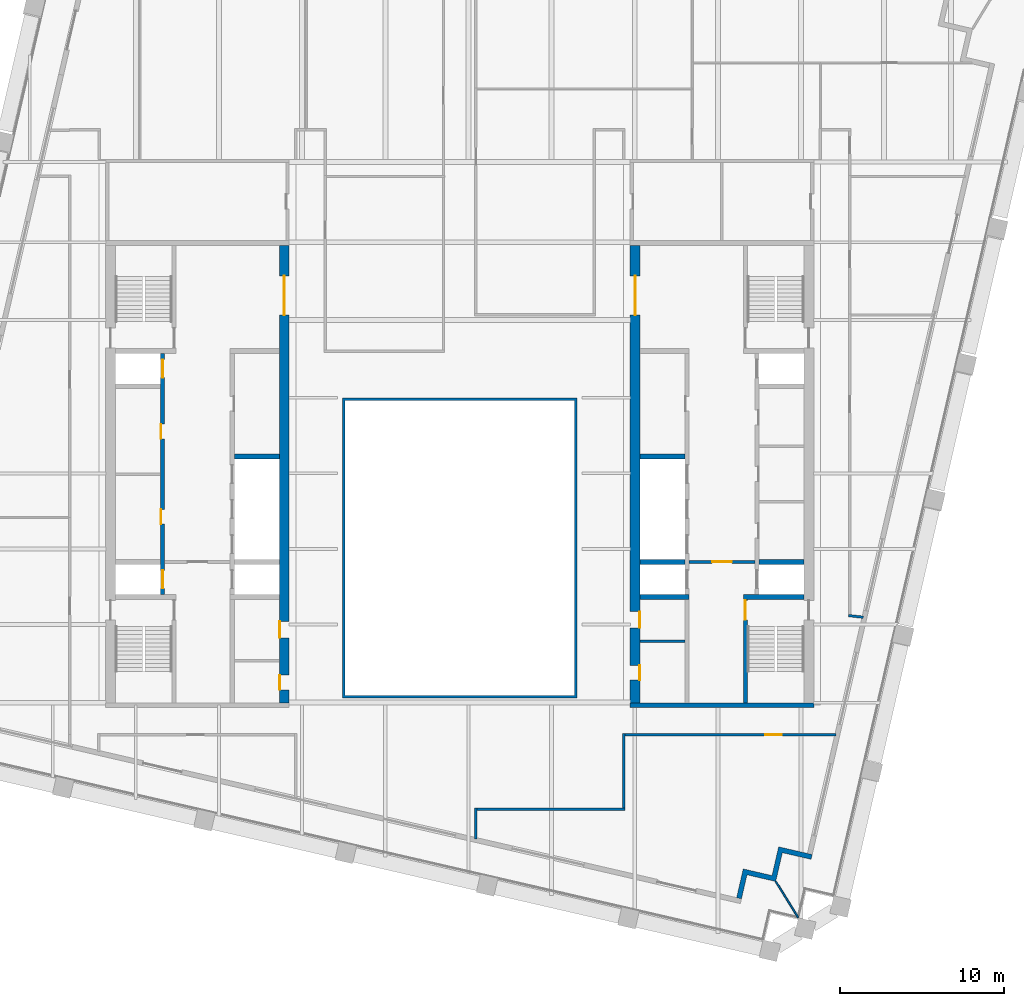
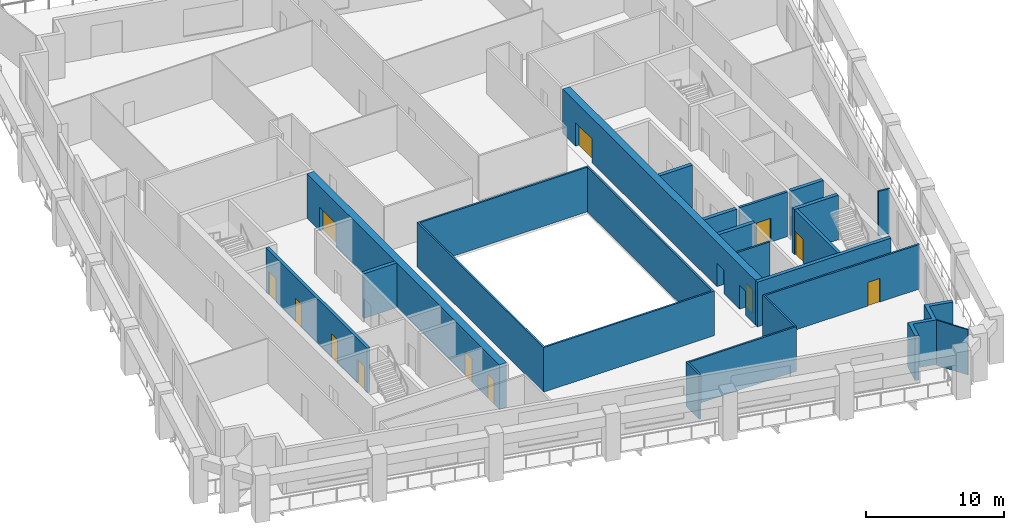
# One storey, part 4 of 10: 21 walls, 13 doors, 13 openings.
"""IFC4 building model written with IfcOpenShell, lengths in metres."""

from ifc_helpers import new_model, si_unit, direction, frame, frame_2d, origin, place, context, subcontext, project, spatial, polyline, rectangle, outline, extrude, material, layer, layer_set, type_object, element, fill, save


model = new_model("IFC4")

# Units and contexts
model_context = context("Model", 3, precision=1e-05, world=origin(), true_north=direction((0.0, 1.0)))
body_context = subcontext(model_context, "Body", "Model", "MODEL_VIEW")
ifc_project = project(units=[si_unit("LENGTHUNIT", "METRE"), si_unit("AREAUNIT", "SQUARE_METRE"), si_unit("VOLUMEUNIT", "CUBIC_METRE"), si_unit("PLANEANGLEUNIT", "RADIAN"), si_unit("MASSUNIT", "GRAM", prefix="KILO")], contexts=[model_context])

# Site, building, storey
site_placement = place(None, origin())
site = spatial("IfcSite", under=ifc_project, at=site_placement, CompositionType="ELEMENT")
building_placement = place(site_placement, origin())
building = spatial("IfcBuilding", under=site, at=building_placement, Name="Ogive Exchange Tower", CompositionType="ELEMENT")
storey_placement = place(building_placement, frame((0.0, 0.0, 289.199951171875)))
storey = spatial("IfcBuildingStorey", under=building, at=storey_placement, Name="L63", CompositionType="ELEMENT", Elevation=289.199951171875)

# Walls
ifc_material_1 = material(Name="Gypsum board partition")
ifc_layer_1 = layer(ifc_material_1, 0.14990234375)
ifc_layer_set_1 = layer_set([ifc_layer_1], Name="Core room partition 150 gypsum")
wall_type_1 = type_object("IfcWallType", Name="Core room partition 150 gypsum", PredefinedType="PARTITIONING", material=ifc_layer_set_1)
wall_1_placement = place(storey_placement, frame((11.0, 1.300048828125, 0.0), z_axis=(0.0, 0.0, 1.0), x_axis=(1.0, 0.0, 0.0)))
element("IfcWall", 1, at=wall_1_placement, inside=storey, type_object=wall_type_1, Name="E south room partition", PredefinedType="PARTITIONING", context=body_context, shape_type="SweptSolid", body=[
    extrude(rectangle(XDim=2.75, YDim=0.14990234375, at=frame_2d((1.375, 0.0))), origin(), (0.0, 0.0, 1.0), 3.949951171875),
])
ifc_material_2 = material(Name="Fire partition EI 60 150")
ifc_layer_2 = layer(ifc_material_2, 0.14990234375)
ifc_layer_set_2 = layer_set([ifc_layer_2], Name="Fire partition EI 60 150")
wall_type_2 = type_object("IfcWallType", Name="Fire partition EI 60 150", PredefinedType="PARTITIONING", material=ifc_layer_set_2)
wall_2_placement = place(storey_placement, frame((0.989990234375, -8.864990234375, 0.0), z_axis=(0.0, 0.0, 1.0), x_axis=(0.0, -1.0, 0.0)))
element("IfcWall", 2, at=wall_2_placement, inside=storey, type_object=wall_type_2, Name="L63-PWL-027", PredefinedType="PARTITIONING", context=body_context, shape_type="SweptSolid", body=[
    extrude(rectangle(XDim=1.887939453125, YDim=0.14990234375, at=frame_2d((0.94384765625, 0.0))), origin(), (0.0, 0.0, 1.0), 3.949951171875),
])
wall_3_placement = place(storey_placement, frame((10.074951171875, -8.93994140625, 0.0), z_axis=(0.0, 0.0, 1.0), x_axis=(-1.0, 0.0, 0.0)))
element("IfcWall", 3, at=wall_3_placement, inside=storey, type_object=wall_type_2, Name="L63-PWL-033", PredefinedType="PARTITIONING", context=body_context, shape_type="SweptSolid", body=[
    extrude(rectangle(XDim=9.010009765625, YDim=0.14990234375, at=frame_2d((4.5048828125, 0.0))), origin(), (0.0, 0.0, 1.0), 3.949951171875),
])
wall_4_placement = place(storey_placement, frame((10.0, -4.324951171875, 0.0), z_axis=(0.0, 0.0, 1.0), x_axis=(0.0, -1.0, 0.0)))
element("IfcWall", 4, at=wall_4_placement, inside=storey, type_object=wall_type_2, Name="L63-PWL-034", PredefinedType="PARTITIONING", context=body_context, shape_type="SweptSolid", body=[
    extrude(rectangle(XDim=4.5400390625, YDim=0.14990234375, at=frame_2d((2.27001953125, 0.0))), origin(), (0.0, 0.0, 1.0), 3.949951171875),
])

# Wall, opening, door
wall_5_placement = place(storey_placement, frame((22.968017578125, -4.39990234375, 0.0), z_axis=(0.0, 0.0, 1.0), x_axis=(-1.0, 0.0, 0.0)))
wall_5 = element("IfcWall", 5, at=wall_5_placement, inside=storey, type_object=wall_type_2, Name="L63-PWL-045", PredefinedType="PARTITIONING", context=body_context, shape_type="SweptSolid", body=[
    extrude(rectangle(XDim=12.89306640625, YDim=0.14990234375, at=frame_2d((6.446533203125, 0.0))), origin(), (0.0, 0.0, 1.0), 3.949951171875),
])
opening_1_placement = place(wall_5_placement, frame((3.318115234375, 0.0, 0.0)))
opening_1 = element("IfcOpeningElement", 6, at=opening_1_placement, cuts=wall_5, Name="Opening L63-I01", PredefinedType="OPENING", context=body_context, shape_type="SweptSolid", body=[
    extrude(rectangle(XDim=1.0, YDim=2.10009765625, at=frame_2d((0.5, 1.050048828125))), frame((0.0, 0.0849609375, 0.0), z_axis=(0.0, -1.0, 0.0), x_axis=(1.0, 0.0, 0.0)), (0.0, 0.0, 1.0), 0.169921875),
])
ifc_material_3 = material(Name="Fire door FD 30S 1000 x 2100")
door_type_1 = type_object("IfcDoorType", Name="Fire door FD 30S 1000 x 2100", OperationType="NOTDEFINED", PredefinedType="DOOR", material=ifc_material_3)
door_1_placement = place(opening_1_placement, origin())
door_1 = element("IfcDoor", 7, at=door_1_placement, inside=storey, type_object=door_type_1, Name="L63-IDR-001", ObjectType="DT3", OperationType="SINGLE_SWING_RIGHT", OverallHeight=2.10009765625, OverallWidth=1.0, PredefinedType="DOOR", context=body_context, shape_type="SweptSolid", body=[
    extrude(rectangle(XDim=1.0, YDim=2.10009765625, at=frame_2d((0.5, 1.050048828125))), frame((0.0, 0.02490234375, 0.0), z_axis=(0.0, -1.0, 0.0), x_axis=(1.0, 0.0, 0.0)), (0.0, 0.0, 1.0), 0.050048828125),
])
fill(opening_1, door_1)

# Walls
wall_6_placement = place(storey_placement, frame((23.72509765625, 2.868896484375, 0.0), z_axis=(0.0, 0.0, 1.0), x_axis=(0.993330469257, -0.115302119865, 0.0)))
element("IfcWall", 8, at=wall_6_placement, inside=storey, type_object=wall_type_2, Name="L63-PWL-046", PredefinedType="PARTITIONING", context=body_context, shape_type="SweptSolid", body=[
    extrude(rectangle(XDim=0.902099609375, YDim=0.14990234375, at=frame_2d((0.451171875, 0.0))), origin(), (0.0, 0.0, 1.0), 3.949951171875),
])
ifc_material_4 = material(Name="Fire-resisting glass in steel frame", Category="steel")
ifc_layer_3 = layer(ifc_material_4, 0.14990234375)
ifc_layer_set_3 = layer_set([ifc_layer_3], Name="Fire-rated glazed wall 150")
wall_type_3 = type_object("IfcWallType", Name="Fire-rated glazed wall 150", PredefinedType="STANDARD", material=ifc_layer_set_3)
wall_7_placement = place(storey_placement, origin())
element("IfcWall", 9, at=wall_7_placement, inside=storey, type_object=wall_type_3, Name="Nave enclosure wall", PredefinedType="STANDARD", context=body_context, shape_type="SweptSolid", body=[
    extrude(outline(polyline([(-7.14990234375, -2.14990234375), (7.14990234375, -2.14990234375), (7.14990234375, 16.14990234375), (-7.14990234375, 16.14990234375), (-7.14990234375, -2.14990234375)]), holes=[polyline([(-7.0, -2.0), (-7.0, 16.0), (7.0, 16.0), (7.0, -2.0), (-7.0, -2.0)])]), origin(), (0.0, 0.0, 1.0), 3.949951171875),
])
ifc_material_5 = material(Name="Precast concrete C40/50", Category="concrete")
ifc_layer_4 = layer(ifc_material_5, 0.300048828125)
ifc_layer_set_4 = layer_set([ifc_layer_4], Name="Limestone-faced wall 300")
wall_type_4 = type_object("IfcWallType", Name="Limestone-faced wall 300", PredefinedType="STANDARD", material=ifc_layer_set_4)
wall_8_placement = place(storey_placement, origin())
element("IfcWall", 10, at=wall_8_placement, inside=storey, type_object=wall_type_4, Name="External corner wall C1", PredefinedType="STANDARD", context=body_context, shape_type="SweptSolid", body=[
    extrude(outline(polyline([(19.053955078125, -12.993408203125), (19.458740234375, -11.239501953125), (21.5048828125, -11.7119140625), (21.4375, -12.004150390625), (19.68359375, -11.599365234375), (19.27880859375, -13.353271484375), (17.52490234375, -12.9482421875), (17.1875, -14.409912109375), (16.89501953125, -14.34228515625), (17.300048828125, -12.58837890625), (19.053955078125, -12.993408203125)])), origin(), (0.0, 0.0, 1.0), 3.949951171875),
])
ifc_material_6 = material(Name="Laminated safety glass in steel frame", Category="steel")
ifc_layer_5 = layer(ifc_material_6, 0.10009765625)
ifc_layer_set_5 = layer_set([ifc_layer_5], Name="Loggia end screen 100")
wall_type_5 = type_object("IfcWallType", Name="Loggia end screen 100", PredefinedType="STANDARD", material=ifc_layer_set_5)
wall_9_placement = place(storey_placement, frame((19.27880859375, -13.353271484375, -0.050048828125), z_axis=(0.0, 0.0, 1.0), x_axis=(0.529914407191, -0.848051131154, 0.0)))
element("IfcWall", 11, at=wall_9_placement, inside=storey, type_object=wall_type_5, Name="Loggia end screen C1", PredefinedType="STANDARD", context=body_context, shape_type="SweptSolid", body=[
    extrude(rectangle(XDim=2.59619140625, YDim=0.10009765625, at=frame_2d((1.298095703125, 0.0))), origin(), (0.0, 0.0, 1.0), 4.0),
])

# Wall, opening, door
ifc_material_7 = material(Name="Concrete C70/85", Category="concrete")
ifc_layer_6 = layer(ifc_material_7, 0.199951171875)
ifc_layer_set_6 = layer_set([ifc_layer_6], Name="RC core wall 200 C70/85")
wall_type_6 = type_object("IfcWallType", Name="RC core wall 200 C70/85", PredefinedType="SHEAR", material=ifc_layer_set_6)
wall_10_placement = place(storey_placement, frame((14.0, 6.142822265625, 0.0), z_axis=(0.0, 0.0, 1.0), x_axis=(1.0, 0.0, 0.0)))
wall_10 = element("IfcWall", 12, at=wall_10_placement, inside=storey, type_object=wall_type_6, Name="E firefighting lobby wall", PredefinedType="SHEAR", context=body_context, shape_type="SweptSolid", body=[
    extrude(rectangle(XDim=4.0, YDim=0.199951171875, at=frame_2d((2.0, 0.0))), origin(), (0.0, 0.0, 1.0), 3.949951171875),
])
opening_2_placement = place(wall_10_placement, frame((1.39990234375, 0.0, 0.0)))
opening_2 = element("IfcOpeningElement", 13, at=opening_2_placement, cuts=wall_10, Name="Opening L63-C29", PredefinedType="OPENING", context=body_context, shape_type="SweptSolid", body=[
    extrude(rectangle(XDim=1.199951171875, YDim=2.10009765625, at=frame_2d((0.60009765625, 1.050048828125))), frame((0.0, 0.10986328125, 0.0), z_axis=(0.0, -1.0, 0.0), x_axis=(1.0, 0.0, 0.0)), (0.0, 0.0, 1.0), 0.219970703125),
])
ifc_material_8 = material(Name="Steel fire door", Category="steel")
door_type_2 = type_object("IfcDoorType", Name="Firefighting lobby door FD60 1200 x 2100", OperationType="NOTDEFINED", PredefinedType="DOOR", material=ifc_material_8)
door_2_placement = place(opening_2_placement, frame((1.199951171875, 0.0, 0.0), z_axis=(0.0, 0.0, 1.0), x_axis=(-1.0, 0.0, 0.0)))
door_2 = element("IfcDoor", 14, at=door_2_placement, inside=storey, type_object=door_type_2, Name="Firefighting lobby door", ObjectType="CD3", OperationType="SINGLE_SWING_LEFT", OverallHeight=2.10009765625, OverallWidth=1.199951171875, PredefinedType="DOOR", context=body_context, shape_type="SweptSolid", body=[
    extrude(rectangle(XDim=1.199951171875, YDim=2.10009765625, at=frame_2d((0.60009765625, 1.050048828125))), frame((0.0, 0.02490234375, 0.0), z_axis=(0.0, -1.0, 0.0), x_axis=(1.0, 0.0, 0.0)), (0.0, 0.0, 1.0), 0.050048828125),
])
fill(opening_2, door_2)

# Wall, openings, doors
ifc_layer_7 = layer(ifc_material_7, 0.25)
ifc_layer_set_7 = layer_set([ifc_layer_7], Name="RC core wall 250 C70/85")
wall_type_7 = type_object("IfcWallType", Name="RC core wall 250 C70/85", PredefinedType="SHEAR", material=ifc_layer_set_7)
wall_11_placement = place(storey_placement, frame((-18.125, 4.14990234375, 0.0), z_axis=(0.0, 0.0, 1.0), x_axis=(0.0, 1.0, 0.0)))
wall_11 = element("IfcWall", 15, at=wall_11_placement, inside=storey, type_object=wall_type_7, Name="W row A front wall", PredefinedType="SHEAR", context=body_context, shape_type="SweptSolid", body=[
    extrude(rectangle(XDim=14.7001953125, YDim=0.25, at=frame_2d((7.35009765625, 0.0))), origin(), (0.0, 0.0, 1.0), 3.949951171875),
])
opening_3_placement = place(wall_11_placement, frame((4.29638671875, 0.0, 0.0)))
opening_3 = element("IfcOpeningElement", 16, at=opening_3_placement, cuts=wall_11, Name="Opening L63-C01", PredefinedType="OPENING", context=body_context, shape_type="SweptSolid", body=[
    extrude(rectangle(XDim=0.89990234375, YDim=2.10009765625, at=frame_2d((0.449951171875, 1.050048828125))), frame((0.0, 0.135009765625, 0.0), z_axis=(0.0, -1.0, 0.0), x_axis=(1.0, 0.0, 0.0)), (0.0, 0.0, 1.0), 0.27001953125),
])
opening_4_placement = place(wall_11_placement, frame((9.503662109375, 0.0, 0.0)))
opening_4 = element("IfcOpeningElement", 17, at=opening_4_placement, cuts=wall_11, Name="Opening L63-C02", PredefinedType="OPENING", context=body_context, shape_type="SweptSolid", body=[
    extrude(rectangle(XDim=0.89990234375, YDim=2.10009765625, at=frame_2d((0.449951171875, 1.050048828125))), frame((0.0, 0.135009765625, 0.0), z_axis=(0.0, -1.0, 0.0), x_axis=(1.0, 0.0, 0.0)), (0.0, 0.0, 1.0), 0.27001953125),
])
opening_5_placement = place(wall_11_placement, frame((0.371337890625, 0.0, 0.0)))
opening_5 = element("IfcOpeningElement", 18, at=opening_5_placement, cuts=wall_11, Name="Opening L63-C03", PredefinedType="OPENING", context=body_context, shape_type="SweptSolid", body=[
    extrude(rectangle(XDim=1.10009765625, YDim=2.10009765625, at=frame_2d((0.550048828125, 1.050048828125))), frame((0.0, 0.135009765625, 0.0), z_axis=(0.0, -1.0, 0.0), x_axis=(1.0, 0.0, 0.0)), (0.0, 0.0, 1.0), 0.27001953125),
])
opening_6_placement = place(wall_11_placement, frame((13.228515625, 0.0, 0.0)))
opening_6 = element("IfcOpeningElement", 19, at=opening_6_placement, cuts=wall_11, Name="Opening L63-C04", PredefinedType="OPENING", context=body_context, shape_type="SweptSolid", body=[
    extrude(rectangle(XDim=1.10009765625, YDim=2.10009765625, at=frame_2d((0.550048828125, 1.050048828125))), frame((0.0, 0.135009765625, 0.0), z_axis=(0.0, -1.0, 0.0), x_axis=(1.0, 0.0, 0.0)), (0.0, 0.0, 1.0), 0.27001953125),
])
ifc_material_9 = material(Name="Stainless steel", Category="steel")
door_type_3 = type_object("IfcDoorType", Name="Lift landing door FD90 1100 x 2100", OperationType="SLIDING_TO_LEFT", PredefinedType="DOOR", material=ifc_material_9)
door_3_placement = place(opening_5_placement, origin())
door_3 = element("IfcDoor", 20, at=door_3_placement, inside=storey, type_object=door_type_3, Name="Lift landing door FF1", ObjectType="LD", OperationType="SLIDING_TO_LEFT", OverallHeight=2.10009765625, OverallWidth=1.10009765625, PredefinedType="DOOR", context=body_context, shape_type="SweptSolid", body=[
    extrude(rectangle(XDim=1.10009765625, YDim=2.10009765625, at=frame_2d((0.550048828125, 1.050048828125))), frame((0.0, 0.02490234375, 0.0), z_axis=(0.0, -1.0, 0.0), x_axis=(1.0, 0.0, 0.0)), (0.0, 0.0, 1.0), 0.050048828125),
])
fill(opening_5, door_3)
door_4_placement = place(opening_6_placement, origin())
door_4 = element("IfcDoor", 21, at=door_4_placement, inside=storey, type_object=door_type_3, Name="Lift landing door W-SH2", ObjectType="LD", OperationType="SLIDING_TO_LEFT", OverallHeight=2.10009765625, OverallWidth=1.10009765625, PredefinedType="DOOR", context=body_context, shape_type="SweptSolid", body=[
    extrude(rectangle(XDim=1.10009765625, YDim=2.10009765625, at=frame_2d((0.550048828125, 1.050048828125))), frame((0.0, 0.02490234375, 0.0), z_axis=(0.0, -1.0, 0.0), x_axis=(1.0, 0.0, 0.0)), (0.0, 0.0, 1.0), 0.050048828125),
])
fill(opening_6, door_4)
door_type_4 = type_object("IfcDoorType", Name="Riser door FD60 900 x 2100", OperationType="NOTDEFINED", PredefinedType="DOOR", material=ifc_material_8)
door_5_placement = place(opening_3_placement, origin())
door_5 = element("IfcDoor", 22, at=door_5_placement, inside=storey, type_object=door_type_4, Name="Riser door", ObjectType="CD2", OperationType="SINGLE_SWING_RIGHT", OverallHeight=2.10009765625, OverallWidth=0.89990234375, PredefinedType="DOOR", context=body_context, shape_type="SweptSolid", body=[
    extrude(rectangle(XDim=0.89990234375, YDim=2.10009765625, at=frame_2d((0.449951171875, 1.050048828125))), frame((0.0, 0.125, 0.0), z_axis=(0.0, -1.0, 0.0), x_axis=(1.0, 0.0, 0.0)), (0.0, 0.0, 1.0), 0.050048828125),
])
fill(opening_3, door_5)
door_6_placement = place(opening_4_placement, origin())
door_6 = element("IfcDoor", 23, at=door_6_placement, inside=storey, type_object=door_type_4, Name="Riser door", ObjectType="CD2", OperationType="SINGLE_SWING_RIGHT", OverallHeight=2.10009765625, OverallWidth=0.89990234375, PredefinedType="DOOR", context=body_context, shape_type="SweptSolid", body=[
    extrude(rectangle(XDim=0.89990234375, YDim=2.10009765625, at=frame_2d((0.449951171875, 1.050048828125))), frame((0.0, 0.125, 0.0), z_axis=(0.0, -1.0, 0.0), x_axis=(1.0, 0.0, 0.0)), (0.0, 0.0, 1.0), 0.050048828125),
])
fill(opening_4, door_6)

# Wall, opening, door
wall_12_placement = place(storey_placement, frame((17.425048828125, -2.449951171875, 0.0), z_axis=(0.0, 0.0, 1.0), x_axis=(0.0, 1.0, 0.0)))
wall_12 = element("IfcWall", 24, at=wall_12_placement, inside=storey, type_object=wall_type_7, Name="E stair S front wall", PredefinedType="SHEAR", context=body_context, shape_type="SweptSolid", body=[
    extrude(rectangle(XDim=6.300048828125, YDim=0.25, at=frame_2d((3.14990234375, 0.0))), origin(), (0.0, 0.0, 1.0), 3.949951171875),
])
opening_7_placement = place(wall_12_placement, frame((5.050048828125, 0.0, 0.0)))
opening_7 = element("IfcOpeningElement", 25, at=opening_7_placement, cuts=wall_12, Name="Opening L63-C31", PredefinedType="OPENING", context=body_context, shape_type="SweptSolid", body=[
    extrude(rectangle(XDim=1.199951171875, YDim=2.10009765625, at=frame_2d((0.60009765625, 1.050048828125))), frame((0.0, 0.135009765625, 0.0), z_axis=(0.0, -1.0, 0.0), x_axis=(1.0, 0.0, 0.0)), (0.0, 0.0, 1.0), 0.27001953125),
])
door_type_5 = type_object("IfcDoorType", Name="Stair door FD90 1200 x 2100", OperationType="NOTDEFINED", PredefinedType="DOOR", material=ifc_material_8)
door_7_placement = place(opening_7_placement, frame((1.199951171875, 0.0, 0.0), z_axis=(0.0, 0.0, 1.0), x_axis=(-1.0, 0.0, 0.0)))
door_7 = element("IfcDoor", 26, at=door_7_placement, inside=storey, type_object=door_type_5, Name="Stair door", ObjectType="CD5", OperationType="SINGLE_SWING_RIGHT", OverallHeight=2.10009765625, OverallWidth=1.199951171875, PredefinedType="DOOR", context=body_context, shape_type="SweptSolid", body=[
    extrude(rectangle(XDim=1.199951171875, YDim=2.10009765625, at=frame_2d((0.60009765625, 1.050048828125))), frame((0.0, 0.02490234375, 0.0), z_axis=(0.0, -1.0, 0.0), x_axis=(1.0, 0.0, 0.0)), (0.0, 0.0, 1.0), 0.050048828125),
])
fill(opening_7, door_7)

# Walls
ifc_layer_8 = layer(ifc_material_7, 0.300048828125)
ifc_layer_set_8 = layer_set([ifc_layer_8], Name="RC core wall 300 C70/85")
wall_type_8 = type_object("IfcWallType", Name="RC core wall 300 C70/85", PredefinedType="SHEAR", material=ifc_layer_set_8)
wall_13_placement = place(storey_placement, frame((-13.75, 12.5712890625, 0.0), z_axis=(0.0, 0.0, 1.0), x_axis=(1.0, 0.0, 0.0)))
element("IfcWall", 27, at=wall_13_placement, inside=storey, type_object=wall_type_8, Name="W row B divider 4", PredefinedType="SHEAR", context=body_context, shape_type="SweptSolid", body=[
    extrude(rectangle(XDim=2.75, YDim=0.300048828125, at=frame_2d((1.375, 0.0))), origin(), (0.0, 0.0, 1.0), 3.949951171875),
])
wall_14_placement = place(storey_placement, frame((10.39990234375, -2.60009765625, 0.0), z_axis=(0.0, 0.0, 1.0), x_axis=(1.0, 0.0, 0.0)))
element("IfcWall", 28, at=wall_14_placement, inside=storey, type_object=wall_type_8, Name="E south end wall", PredefinedType="SHEAR", context=body_context, shape_type="SweptSolid", body=[
    extrude(rectangle(XDim=11.2001953125, YDim=0.300048828125, at=frame_2d((5.60009765625, 0.0))), origin(), (0.0, 0.0, 1.0), 3.949951171875),
])
wall_15_placement = place(storey_placement, frame((17.300048828125, 4.0, 0.0), z_axis=(0.0, 0.0, 1.0), x_axis=(1.0, 0.0, 0.0)))
element("IfcWall", 29, at=wall_15_placement, inside=storey, type_object=wall_type_8, Name="E stair S north wall", PredefinedType="SHEAR", context=body_context, shape_type="SweptSolid", body=[
    extrude(rectangle(XDim=3.699951171875, YDim=0.300048828125, at=frame_2d((1.85009765625, 0.0))), origin(), (0.0, 0.0, 1.0), 3.949951171875),
])
wall_16_placement = place(storey_placement, frame((18.25, 6.142822265625, 0.0), z_axis=(0.0, 0.0, 1.0), x_axis=(1.0, 0.0, 0.0)))
element("IfcWall", 30, at=wall_16_placement, inside=storey, type_object=wall_type_8, Name="E row A divider 1", PredefinedType="SHEAR", context=body_context, shape_type="SweptSolid", body=[
    extrude(rectangle(XDim=2.75, YDim=0.300048828125, at=frame_2d((1.375, 0.0))), origin(), (0.0, 0.0, 1.0), 3.949951171875),
])
wall_17_placement = place(storey_placement, frame((11.0, 4.0, 0.0), z_axis=(0.0, 0.0, 1.0), x_axis=(1.0, 0.0, 0.0)))
element("IfcWall", 31, at=wall_17_placement, inside=storey, type_object=wall_type_8, Name="E row B divider 0", PredefinedType="SHEAR", context=body_context, shape_type="SweptSolid", body=[
    extrude(rectangle(XDim=3.0, YDim=0.300048828125, at=frame_2d((1.5, 0.0))), origin(), (0.0, 0.0, 1.0), 3.949951171875),
])
for number, where, z_axis, x_axis, name in (
    (32, (11.0, 6.142822265625, 0.0), (0.0, 0.0, 1.0), (1.0, 0.0, 0.0), "E row B divider 1"),
    (33, (11.0, 12.5712890625, 0.0), (0.0, 0.0, 1.0), (1.0, 0.0, 0.0), "E row B divider 4"),
):
    element("IfcWall", number, at=place(storey_placement, frame(where, z_axis=z_axis, x_axis=x_axis)), inside=storey, type_object=wall_type_8, Name=name, PredefinedType="SHEAR", context=body_context, shape_type="SweptSolid", body=[
        extrude(rectangle(XDim=2.75, YDim=0.300048828125, at=frame_2d((1.375, 0.0))), origin(), (0.0, 0.0, 1.0), 3.949951171875),
    ])

# Wall, openings, doors
ifc_layer_9 = layer(ifc_material_7, 0.60009765625)
ifc_layer_set_9 = layer_set([ifc_layer_9], Name="RC core wall 600 C70/85")
wall_type_9 = type_object("IfcWallType", Name="RC core wall 600 C70/85", PredefinedType="SHEAR", material=ifc_layer_set_9)
wall_18_placement = place(storey_placement, frame((-10.699951171875, -2.449951171875, 0.0), z_axis=(0.0, 0.0, 1.0), x_axis=(0.0, 1.0, 0.0)))
wall_18 = element("IfcWall", 34, at=wall_18_placement, inside=storey, type_object=wall_type_9, Name="W inner wall", PredefinedType="SHEAR", context=body_context, shape_type="SweptSolid", body=[
    extrude(rectangle(XDim=27.89990234375, YDim=0.60009765625, at=frame_2d((13.949951171875, 0.0))), origin(), (0.0, 0.0, 1.0), 3.949951171875),
])
opening_8_placement = place(wall_18_placement, frame((23.64990234375, 0.0, 0.0)))
opening_8 = element("IfcOpeningElement", 35, at=opening_8_placement, cuts=wall_18, Name="Opening L63-C11", PredefinedType="OPENING", context=body_context, shape_type="SweptSolid", body=[
    extrude(rectangle(XDim=2.39990234375, YDim=2.10009765625, at=frame_2d((1.199951171875, 1.050048828125))), frame((0.0, 0.31005859375, 0.0), z_axis=(0.0, -1.0, 0.0), x_axis=(1.0, 0.0, 0.0)), (0.0, 0.0, 1.0), 0.6201171875),
])
opening_9_placement = place(wall_18_placement, frame((0.78759765625, 0.0, 0.0)))
opening_9 = element("IfcOpeningElement", 36, at=opening_9_placement, cuts=wall_18, Name="Opening L63-C16", PredefinedType="OPENING", context=body_context, shape_type="SweptSolid", body=[
    extrude(rectangle(XDim=0.89990234375, YDim=2.10009765625, at=frame_2d((0.449951171875, 1.050048828125))), frame((0.0, 0.31005859375, 0.0), z_axis=(0.0, -1.0, 0.0), x_axis=(1.0, 0.0, 0.0)), (0.0, 0.0, 1.0), 0.6201171875),
])
opening_10_placement = place(wall_18_placement, frame((3.96240234375, 0.0, 0.0)))
opening_10 = element("IfcOpeningElement", 37, at=opening_10_placement, cuts=wall_18, Name="Opening L63-C17", PredefinedType="OPENING", context=body_context, shape_type="SweptSolid", body=[
    extrude(rectangle(XDim=1.0, YDim=2.10009765625, at=frame_2d((0.5, 1.050048828125))), frame((0.0, 0.31005859375, 0.0), z_axis=(0.0, -1.0, 0.0), x_axis=(1.0, 0.0, 0.0)), (0.0, 0.0, 1.0), 0.6201171875),
])
ifc_material_10 = material(Name="Timber fire door", Category="wood")
door_type_6 = type_object("IfcDoorType", Name="Accessible WC door FD30S 1000 x 2100", OperationType="NOTDEFINED", PredefinedType="DOOR", material=ifc_material_10)
door_8_placement = place(opening_10_placement, frame((1.0, 0.5498046875, 0.0), z_axis=(0.0, 0.0, 1.0), x_axis=(-1.0, 0.0, 0.0)))
door_8 = element("IfcDoor", 38, at=door_8_placement, inside=storey, type_object=door_type_6, Name="Accessible WC door", ObjectType="CD7", OperationType="SINGLE_SWING_LEFT", OverallHeight=2.10009765625, OverallWidth=1.0, PredefinedType="DOOR", context=body_context, shape_type="SweptSolid", body=[
    extrude(rectangle(XDim=1.0, YDim=2.10009765625, at=frame_2d((0.5, 1.050048828125))), frame((0.0, 0.2998046875, 0.0), z_axis=(0.0, -1.0, 0.0), x_axis=(1.0, 0.0, 0.0)), (0.0, 0.0, 1.0), 0.050048828125),
])
fill(opening_10, door_8)
door_type_7 = type_object("IfcDoorType", Name="Core room door FD30S 900 x 2100", OperationType="NOTDEFINED", PredefinedType="DOOR", material=ifc_material_10)
door_9_placement = place(opening_9_placement, frame((0.89990234375, 0.5498046875, 0.0), z_axis=(0.0, 0.0, 1.0), x_axis=(-1.0, 0.0, 0.0)))
door_9 = element("IfcDoor", 39, at=door_9_placement, inside=storey, type_object=door_type_7, Name="Core room door", ObjectType="CD6", OperationType="SINGLE_SWING_LEFT", OverallHeight=2.10009765625, OverallWidth=0.89990234375, PredefinedType="DOOR", context=body_context, shape_type="SweptSolid", body=[
    extrude(rectangle(XDim=0.89990234375, YDim=2.10009765625, at=frame_2d((0.449951171875, 1.050048828125))), frame((0.0, 0.2998046875, 0.0), z_axis=(0.0, -1.0, 0.0), x_axis=(1.0, 0.0, 0.0)), (0.0, 0.0, 1.0), 0.050048828125),
])
fill(opening_9, door_9)
ifc_material_11 = material(Name="Glazed steel fire door", Category="steel")
door_type_8 = type_object("IfcDoorType", Name="Lift lobby double door FD60 2400 x 2100", OperationType="DOUBLE_DOOR_SINGLE_SWING", PredefinedType="DOOR", material=ifc_material_11)
door_10_placement = place(opening_8_placement, frame((2.39990234375, 0.0, 0.0), z_axis=(0.0, 0.0, 1.0), x_axis=(-1.0, 0.0, 0.0)))
door_10 = element("IfcDoor", 40, at=door_10_placement, inside=storey, type_object=door_type_8, Name="Lift lobby double door", ObjectType="CD4", OperationType="DOUBLE_DOOR_SINGLE_SWING", OverallHeight=2.10009765625, OverallWidth=2.39990234375, PredefinedType="DOOR", context=body_context, shape_type="SweptSolid", body=[
    extrude(rectangle(XDim=2.39990234375, YDim=2.10009765625, at=frame_2d((1.199951171875, 1.050048828125))), frame((0.0, 0.02490234375, 0.0), z_axis=(0.0, -1.0, 0.0), x_axis=(1.0, 0.0, 0.0)), (0.0, 0.0, 1.0), 0.050048828125),
])
fill(opening_8, door_10)

wall_19_placement = place(storey_placement, frame((10.699951171875, -2.449951171875, 0.0), z_axis=(0.0, 0.0, 1.0), x_axis=(0.0, 1.0, 0.0)))
wall_19 = element("IfcWall", 41, at=wall_19_placement, inside=storey, type_object=wall_type_9, Name="E inner wall", PredefinedType="SHEAR", context=body_context, shape_type="SweptSolid", body=[
    extrude(rectangle(XDim=27.89990234375, YDim=0.60009765625, at=frame_2d((13.949951171875, 0.0))), origin(), (0.0, 0.0, 1.0), 3.949951171875),
])
opening_11_placement = place(wall_19_placement, frame((23.64990234375, 0.0, 0.0)))
opening_11 = element("IfcOpeningElement", 42, at=opening_11_placement, cuts=wall_19, Name="Opening L63-C30", PredefinedType="OPENING", context=body_context, shape_type="SweptSolid", body=[
    extrude(rectangle(XDim=2.39990234375, YDim=2.10009765625, at=frame_2d((1.199951171875, 1.050048828125))), frame((0.0, 0.31005859375, 0.0), z_axis=(0.0, -1.0, 0.0), x_axis=(1.0, 0.0, 0.0)), (0.0, 0.0, 1.0), 0.6201171875),
])
opening_12_placement = place(wall_19_placement, frame((1.387451171875, 0.0, 0.0)))
opening_12 = element("IfcOpeningElement", 43, at=opening_12_placement, cuts=wall_19, Name="Opening L63-C35", PredefinedType="OPENING", context=body_context, shape_type="SweptSolid", body=[
    extrude(rectangle(XDim=0.89990234375, YDim=2.10009765625, at=frame_2d((0.449951171875, 1.050048828125))), frame((0.0, 0.31005859375, 0.0), z_axis=(0.0, -1.0, 0.0), x_axis=(1.0, 0.0, 0.0)), (0.0, 0.0, 1.0), 0.6201171875),
])
opening_13_placement = place(wall_19_placement, frame((4.5625, 0.0, 0.0)))
opening_13 = element("IfcOpeningElement", 44, at=opening_13_placement, cuts=wall_19, Name="Opening L63-C36", PredefinedType="OPENING", context=body_context, shape_type="SweptSolid", body=[
    extrude(rectangle(XDim=1.0, YDim=2.10009765625, at=frame_2d((0.5, 1.050048828125))), frame((0.0, 0.31005859375, 0.0), z_axis=(0.0, -1.0, 0.0), x_axis=(1.0, 0.0, 0.0)), (0.0, 0.0, 1.0), 0.6201171875),
])
door_11_placement = place(opening_13_placement, origin())
door_11 = element("IfcDoor", 45, at=door_11_placement, inside=storey, type_object=door_type_6, Name="Accessible WC door", ObjectType="CD7", OperationType="SINGLE_SWING_RIGHT", OverallHeight=2.10009765625, OverallWidth=1.0, PredefinedType="DOOR", context=body_context, shape_type="SweptSolid", body=[
    extrude(rectangle(XDim=1.0, YDim=2.10009765625, at=frame_2d((0.5, 1.050048828125))), frame((0.0, -0.25, 0.0), z_axis=(0.0, -1.0, 0.0), x_axis=(1.0, 0.0, 0.0)), (0.0, 0.0, 1.0), 0.050048828125),
])
fill(opening_13, door_11)
door_12_placement = place(opening_12_placement, origin())
door_12 = element("IfcDoor", 46, at=door_12_placement, inside=storey, type_object=door_type_7, Name="Core room door", ObjectType="CD6", OperationType="SINGLE_SWING_RIGHT", OverallHeight=2.10009765625, OverallWidth=0.89990234375, PredefinedType="DOOR", context=body_context, shape_type="SweptSolid", body=[
    extrude(rectangle(XDim=0.89990234375, YDim=2.10009765625, at=frame_2d((0.449951171875, 1.050048828125))), frame((0.0, -0.25, 0.0), z_axis=(0.0, -1.0, 0.0), x_axis=(1.0, 0.0, 0.0)), (0.0, 0.0, 1.0), 0.050048828125),
])
fill(opening_12, door_12)
door_13_placement = place(opening_11_placement, origin())
door_13 = element("IfcDoor", 47, at=door_13_placement, inside=storey, type_object=door_type_8, Name="Lift lobby double door", ObjectType="CD4", OperationType="DOUBLE_DOOR_SINGLE_SWING", OverallHeight=2.10009765625, OverallWidth=2.39990234375, PredefinedType="DOOR", context=body_context, shape_type="SweptSolid", body=[
    extrude(rectangle(XDim=2.39990234375, YDim=2.10009765625, at=frame_2d((1.199951171875, 1.050048828125))), frame((0.0, 0.02490234375, 0.0), z_axis=(0.0, -1.0, 0.0), x_axis=(1.0, 0.0, 0.0)), (0.0, 0.0, 1.0), 0.050048828125),
])
fill(opening_11, door_13)

save(model, "model.ifc")
